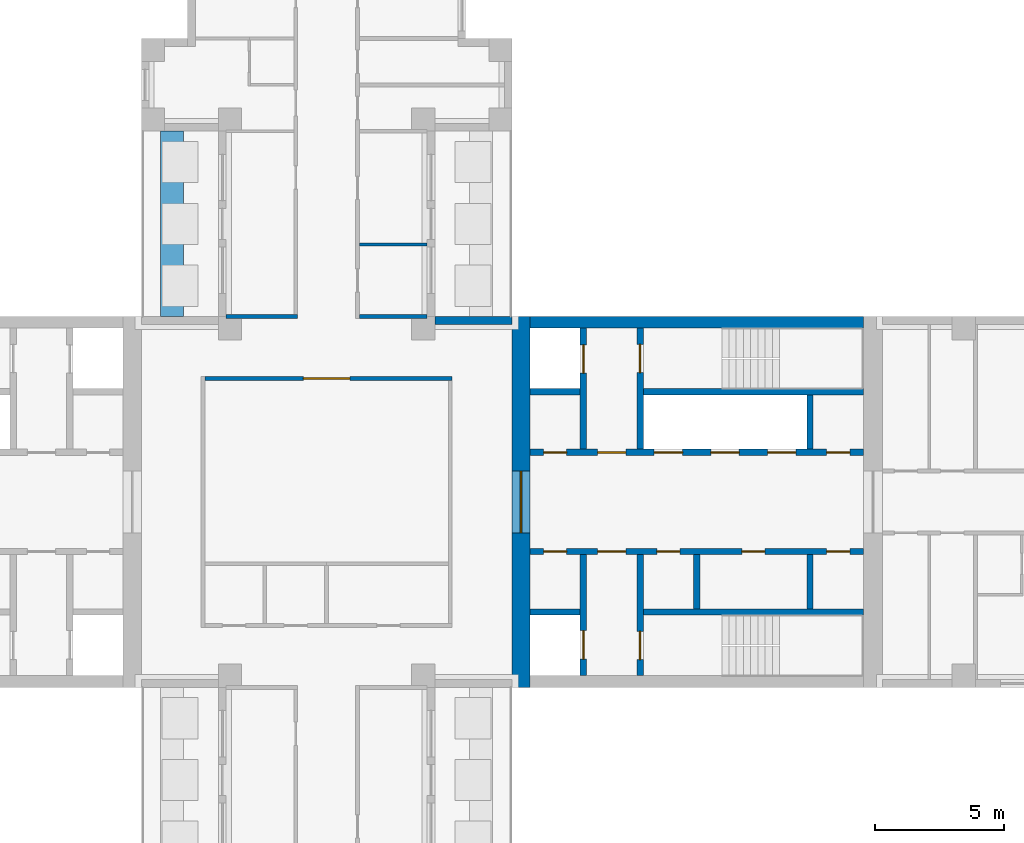
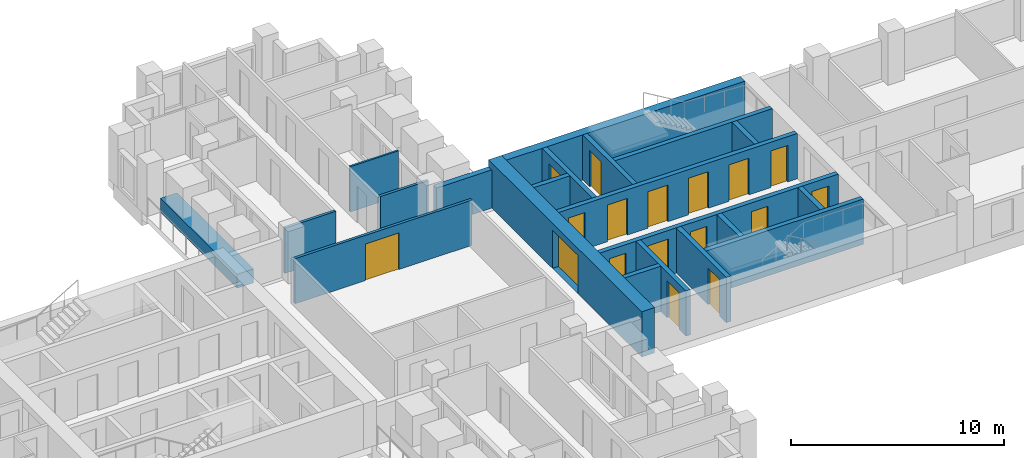
# One storey, part 6 of 11: 21 walls, 17 doors, 17 openings.
"""IFC4 building model written with IfcOpenShell, lengths in metres."""

import ifcopenshell
import ifcopenshell.guid

model = None  # the IFC model being written
_history = None  # IfcOwnerHistory: only IFC2X3 demands one
_inside = {}  # id of a spatial element -> (the spatial element, [elements in it])
_under = {}  # id of a project, library or spatial element -> (it, [spatial elements below it])
_declared = {}  # id of a project -> (the project, [libraries it declares])
_typed = {}  # id of a type object -> (the type object, [elements of that type])
_made_of = {}  # id of a material, layer set ... -> (it, [elements and type objects made of it])


def new_model(schema):
    """Start an empty IFC model of exactly this schema.

    Asked for "IFC4X3", IfcOpenShell would pick the latest addendum, in which some entities
    have other attributes; the version numbers below select the first issue.
    IFC2X3 requires an IfcOwnerHistory on every rooted entity: one is made here for all.
    """
    global model, _history
    if schema == "IFC4X3":
        model = ifcopenshell.file(schema_version=(4, 3, 0, 0))
    else:
        model = ifcopenshell.file(schema=schema)
    _inside.clear()
    _under.clear()
    _declared.clear()
    _typed.clear()
    _made_of.clear()
    _history = None
    if model.schema == "IFC2X3":
        org = make("IfcOrganization", Name="unknown")
        user = make(
            "IfcPersonAndOrganization",
            ThePerson=make("IfcPerson", FamilyName="unknown"),
            TheOrganization=org,
        )
        app = make(
            "IfcApplication",
            ApplicationDeveloper=org,
            Version="unknown",
            ApplicationFullName="unknown",
            ApplicationIdentifier="unknown",
        )
        _history = make(
            "IfcOwnerHistory",
            OwningUser=user,
            OwningApplication=app,
            ChangeAction="ADDED",
            CreationDate=0,
        )
    return model


def make(cls, **values):
    """One entity of the class cls with the attributes given. An attribute that is None is left unset."""
    return model.create_entity(
        cls, **{name: value for name, value in values.items() if value is not None}
    )


def rooted(cls, **values):
    """An entity with a GlobalId (a new one), such as an element, a storey or a relation."""
    return make(cls, GlobalId=ifcopenshell.guid.new(), OwnerHistory=_history, **values)


def si_unit(unit_type, name, prefix=None):
    """IfcSIUnit, for example si_unit("LENGTHUNIT", "METRE", prefix="MILLI")."""
    return make("IfcSIUnit", UnitType=unit_type, Prefix=prefix, Name=name)


def assignment(units):
    """IfcUnitAssignment: the units of a project."""
    return None if units is None else make("IfcUnitAssignment", Units=units)


def point(xyz):
    """IfcCartesianPoint."""
    return None if xyz is None else make("IfcCartesianPoint", Coordinates=xyz)


def direction(xyz):
    """IfcDirection."""
    return None if xyz is None else make("IfcDirection", DirectionRatios=xyz)


def frame(location, z_axis=None, x_axis=None):
    """IfcAxis2Placement3D, a coordinate frame: its origin and axes. An axis left out is left unset."""
    return make(
        "IfcAxis2Placement3D",
        Location=point(location),
        Axis=direction(z_axis),
        RefDirection=direction(x_axis),
    )


def frame_2d(location, x_axis=None):
    """IfcAxis2Placement2D, a coordinate frame in the plane: its origin and x axis."""
    return make(
        "IfcAxis2Placement2D", Location=point(location), RefDirection=direction(x_axis)
    )


def origin():
    """The frame at (0, 0, 0) with its axes left unset."""
    return frame((0.0, 0.0, 0.0))


def place(relative_to, where):
    """IfcLocalPlacement: puts the frame where relative to a parent placement (None: the world)."""
    return make(
        "IfcLocalPlacement", PlacementRelTo=relative_to, RelativePlacement=where
    )


def context(
    kind, dimensions, precision=None, world=None, true_north=None, identifier=None
):
    """IfcGeometricRepresentationContext, for example the 3D "Model" context."""
    return make(
        "IfcGeometricRepresentationContext",
        ContextIdentifier=identifier,
        ContextType=kind,
        CoordinateSpaceDimension=dimensions,
        Precision=precision,
        WorldCoordinateSystem=world,
        TrueNorth=true_north,
    )


def subcontext(parent, identifier, kind, view, scale=None):
    """IfcGeometricRepresentationSubContext, for example "Body" below "Model"."""
    return make(
        "IfcGeometricRepresentationSubContext",
        ContextIdentifier=identifier,
        ContextType=kind,
        ParentContext=parent,
        TargetScale=scale,
        TargetView=view,
    )


def project(units=None, contexts=None):
    """IfcProject with its units and contexts."""
    return rooted(
        "IfcProject",
        Name="project",
        RepresentationContexts=contexts,
        UnitsInContext=assignment(units),
    )


def spatial(cls, under=None, at=None, **own):
    """A site, building, storey or space (cls), placed at a placement, below another one or the project."""
    s = rooted(cls, ObjectPlacement=at, **own)
    if under is not None:
        _under.setdefault(under.id(), (under, []))[1].append(s)
    return s


def profile(cls, at=None, kind="AREA", **sizes):
    """A parametric profile (cls). Its sizes go by their IFC names, for example OverallWidth=200.0."""
    return make(cls, ProfileType=kind, Position=at, **sizes)


def rectangle(**sizes):
    """IfcRectangleProfileDef."""
    return profile("IfcRectangleProfileDef", **sizes)


def extrude(swept, where, along, depth):
    """IfcExtrudedAreaSolid: the profile swept, set in the frame where, extruded along a direction by depth."""
    return make(
        "IfcExtrudedAreaSolid",
        SweptArea=swept,
        Position=where,
        ExtrudedDirection=direction(along),
        Depth=depth,
    )


def shape(context_of_items, identifier, shape_type, items):
    """IfcShapeRepresentation: the items that make up one representation, for example the "Body"."""
    return make(
        "IfcShapeRepresentation",
        ContextOfItems=context_of_items,
        RepresentationIdentifier=identifier,
        RepresentationType=shape_type,
        Items=items,
    )


def material(Name=None, Category=None):
    """IfcMaterial."""
    return make("IfcMaterial", Name=Name, Category=Category)


def layer(
    of_material, thickness, ventilated=None, Name=None, Category=None, Priority=None
):
    """IfcMaterialLayer: one layer of a wall or slab, of a material (None: an air gap)."""
    return make(
        "IfcMaterialLayer",
        Material=of_material,
        LayerThickness=thickness,
        IsVentilated=ventilated,
        Name=Name,
        Category=Category,
        Priority=Priority,
    )


def layer_set(layers, Name=None):
    """IfcMaterialLayerSet."""
    return make("IfcMaterialLayerSet", MaterialLayers=layers, LayerSetName=Name)


def made_of(thing, what):
    """Note that an element or type object is made of a material, layer set ...; save() writes the relation."""
    if what is not None:
        _made_of.setdefault(what.id(), (what, []))[1].append(thing)
    return thing


def type_object(cls, material=None, **own):
    """A type object (cls), such as IfcWallType, which elements share."""
    return made_of(rooted(cls, **own), material)


def element(
    cls,
    number,
    at=None,
    inside=None,
    cuts=None,
    type_object=None,
    material=None,
    context=None,
    identifier="Body",
    shape_type=None,
    held_by="IfcProductDefinitionShape",
    body=None,
    shapes=None,
    **own,
):
    """One element of the class cls, such as IfcWall. Its Tag is "e" and its number.

    at: its placement. inside: the storey or other place that contains it. cuts: it is an
    opening in that element (IfcRelVoidsElement). A single representation is given by context,
    identifier, shape_type and body (its items); several are given by shapes. held_by: the class
    of the entity that holds the representations. save() writes the other relations.
    """
    e = rooted(cls, Tag="e%d" % number, ObjectPlacement=at, **own)
    if body is not None:
        shapes = [shape(context, identifier, shape_type, body)]
    if shapes is not None:
        e.Representation = make(held_by, Representations=shapes)
    if inside is not None:
        _inside.setdefault(inside.id(), (inside, []))[1].append(e)
    if cuts is not None:
        rooted(
            "IfcRelVoidsElement", RelatingBuildingElement=cuts, RelatedOpeningElement=e
        )
    if type_object is not None:
        _typed.setdefault(type_object.id(), (type_object, []))[1].append(e)
    return made_of(e, material)


def fill(opening, filler):
    """IfcRelFillsElement: the door or window that sits in an opening."""
    return rooted(
        "IfcRelFillsElement",
        RelatingOpeningElement=opening,
        RelatedBuildingElement=filler,
    )


def aggregate(whole, parts):
    """IfcRelAggregates: a whole, such as a stair, and the parts it consists of."""
    return rooted("IfcRelAggregates", RelatingObject=whole, RelatedObjects=parts)


def save(model, path):
    """Write the relations noted so far, then the file.

    IfcRelAggregates (storeys below a building ...), IfcRelContainedInSpatialStructure (elements
    in a storey), IfcRelDefinesByType, IfcRelAssociatesMaterial and IfcRelDeclares: one each for
    every whole, place, type object, material and project.
    """
    for whole, parts in _under.values():
        aggregate(whole, parts)
    for where, things in _inside.values():
        rooted(
            "IfcRelContainedInSpatialStructure",
            RelatedElements=things,
            RelatingStructure=where,
        )
    for kind, things in _typed.values():
        rooted("IfcRelDefinesByType", RelatedObjects=things, RelatingType=kind)
    for what, things in _made_of.values():
        rooted("IfcRelAssociatesMaterial", RelatedObjects=things, RelatingMaterial=what)
    for by, libraries in _declared.values():
        rooted("IfcRelDeclares", RelatingContext=by, RelatedDefinitions=libraries)
    model.write(path)


model = new_model("IFC4")

# Units and contexts
model_context = context("Model", 3, precision=1e-05, world=origin(), true_north=direction((0.0, 1.0)))
body_context = subcontext(model_context, "Body", "Model", "MODEL_VIEW")
ifc_project = project(units=[si_unit("LENGTHUNIT", "METRE"), si_unit("AREAUNIT", "SQUARE_METRE"), si_unit("VOLUMEUNIT", "CUBIC_METRE"), si_unit("PLANEANGLEUNIT", "RADIAN"), si_unit("MASSUNIT", "GRAM", prefix="KILO")], contexts=[model_context])

# Site, building, storey
site_placement = place(None, origin())
site = spatial("IfcSite", under=ifc_project, at=site_placement, CompositionType="ELEMENT")
building_placement = place(site_placement, origin())
building = spatial("IfcBuilding", under=site, at=building_placement, Name="Fustian Cross Tower", CompositionType="ELEMENT")
storey_placement = place(building_placement, frame((0.0, 0.0, 123.300048828125)))
storey = spatial("IfcBuildingStorey", under=building, at=storey_placement, Name="L38", CompositionType="ELEMENT", Elevation=123.300048828125)

# Wall, opening, door
ifc_material_1 = material(Name="Plasterboard on steel stud", Category="steel")
ifc_layer_1 = layer(ifc_material_1, 0.14990234375)
ifc_layer_set_1 = layer_set([ifc_layer_1], Name="Plasterboard on steel stud")
wall_type_1 = type_object("IfcWallType", Name="COMPARTMENT WALL 150 EI 60", PredefinedType="PARTITIONING", material=ifc_layer_set_1)
wall_1_placement = place(storey_placement, frame((-4.72509765625, 4.800048828125, 0.0), z_axis=(0.0, 0.0, 1.0), x_axis=(1.0, 0.0, 0.0)))
wall_1 = element("IfcWall", 1, at=wall_1_placement, inside=storey, type_object=wall_type_1, Name="Partition 20", PredefinedType="PARTITIONING", context=body_context, shape_type="SweptSolid", body=[
    extrude(rectangle(XDim=9.60009765625, YDim=0.14990234375, at=frame_2d((4.800048828125, 0.0))), origin(), (0.0, 0.0, 1.0), 2.599853515625),
])
opening_1_placement = place(wall_1_placement, frame((3.824951171875, 0.0, 0.0)))
opening_1 = element("IfcOpeningElement", 2, at=opening_1_placement, cuts=wall_1, Name="Opening D18004", PredefinedType="OPENING", context=body_context, shape_type="SweptSolid", body=[
    extrude(rectangle(XDim=1.800048828125, YDim=2.10009765625, at=frame_2d((0.89990234375, 1.050048828125))), frame((0.0, 0.0849609375, 0.0), z_axis=(0.0, -1.0, 0.0), x_axis=(1.0, 0.0, 0.0)), (0.0, 0.0, 1.0), 0.169921875),
])
ifc_material_2 = material(Name="Timber fire door set", Category="wood")
door_type_1 = type_object("IfcDoorType", Name="FIRE DOUBLE DOOR 1800 FD30S", OperationType="DOUBLE_DOOR_DOUBLE_SWING", PredefinedType="DOOR", material=ifc_material_2)
door_1_placement = place(opening_1_placement, origin())
door_1 = element("IfcDoor", 3, at=door_1_placement, inside=storey, type_object=door_type_1, Name="Door D18004", OperationType="DOUBLE_DOOR_DOUBLE_SWING", OverallHeight=2.10009765625, OverallWidth=1.800048828125, PredefinedType="DOOR", context=body_context, shape_type="SweptSolid", body=[
    extrude(rectangle(XDim=1.800048828125, YDim=2.10009765625, at=frame_2d((0.89990234375, 1.050048828125))), frame((0.0, 0.02490234375, 0.0), z_axis=(0.0, -1.0, 0.0), x_axis=(1.0, 0.0, 0.0)), (0.0, 0.0, 1.0), 0.050048828125),
])
fill(opening_1, door_1)

# Walls
wall_2_placement = place(storey_placement, frame((-3.89990234375, 7.199951171875, 0.0), z_axis=(0.0, 0.0, 1.0), x_axis=(1.0, 0.0, 0.0)))
element("IfcWall", 4, at=wall_2_placement, inside=storey, type_object=wall_type_1, Name="Partition 23", PredefinedType="PARTITIONING", context=body_context, shape_type="SweptSolid", body=[
    extrude(rectangle(XDim=2.77490234375, YDim=0.14990234375, at=frame_2d((1.387451171875, 0.0))), origin(), (0.0, 0.0, 1.0), 2.599853515625),
])
wall_3_placement = place(storey_placement, frame((1.27490234375, 7.199951171875, 0.0), z_axis=(0.0, 0.0, 1.0), x_axis=(1.0, 0.0, 0.0)))
element("IfcWall", 5, at=wall_3_placement, inside=storey, type_object=wall_type_1, Name="Partition 43", PredefinedType="PARTITIONING", context=body_context, shape_type="SweptSolid", body=[
    extrude(rectangle(XDim=2.625, YDim=0.14990234375, at=frame_2d((1.3125, 0.0))), origin(), (0.0, 0.0, 1.0), 2.599853515625),
])

# Wall, opening, door
ifc_material_3 = material(Name="Concrete C60/75", Category="concrete")
ifc_layer_2 = layer(ifc_material_3, 0.699951171875)
ifc_layer_set_2 = layer_set([ifc_layer_2], Name="Concrete C60/75")
wall_type_2 = type_object("IfcWallType", Name="CORE END WALL 700 C60/75", PredefinedType="SHEAR", material=ifc_layer_set_2)
wall_4_placement = place(storey_placement, frame((7.550048828125, -7.199951171875, 0.0), z_axis=(0.0, 0.0, 1.0), x_axis=(0.0, 1.0, 0.0)))
wall_4 = element("IfcWall", 6, at=wall_4_placement, inside=storey, type_object=wall_type_2, Name="Core end wall", PredefinedType="SHEAR", context=body_context, shape_type="SweptSolid", body=[
    extrude(rectangle(XDim=14.39990234375, YDim=0.699951171875, at=frame_2d((7.199951171875, 0.0))), origin(), (0.0, 0.0, 1.0), 2.599853515625),
])
opening_2_placement = place(wall_4_placement, frame((6.0, 0.0, 0.0)))
opening_2 = element("IfcOpeningElement", 7, at=opening_2_placement, cuts=wall_4, Name="Opening CD-16-12", PredefinedType="OPENING", context=body_context, shape_type="SweptSolid", body=[
    extrude(rectangle(XDim=2.39990234375, YDim=2.199951171875, at=frame_2d((1.199951171875, 1.10009765625))), frame((0.0, 0.35986328125, 0.0), z_axis=(0.0, -1.0, 0.0), x_axis=(1.0, 0.0, 0.0)), (0.0, 0.0, 1.0), 0.719970703125),
])
ifc_material_4 = material(Name="Steel", Category="steel")
door_type_2 = type_object("IfcDoorType", Name="FIRE DOOR FD30S DOUBLE 2400X2200", OperationType="DOUBLE_DOOR_DOUBLE_SWING", PredefinedType="DOOR", material=ifc_material_4)
door_2_placement = place(opening_2_placement, origin())
door_2 = element("IfcDoor", 8, at=door_2_placement, inside=storey, type_object=door_type_2, Name="Core door CD-16-12", OperationType="DOUBLE_DOOR_DOUBLE_SWING", OverallHeight=2.199951171875, OverallWidth=2.39990234375, PredefinedType="DOOR", context=body_context, shape_type="SweptSolid", body=[
    extrude(rectangle(XDim=2.39990234375, YDim=2.199951171875, at=frame_2d((1.199951171875, 1.10009765625))), frame((0.0, 0.02490234375, 0.0), z_axis=(0.0, -1.0, 0.0), x_axis=(1.0, 0.0, 0.0)), (0.0, 0.0, 1.0), 0.050048828125),
])
fill(opening_2, door_2)

# Wall
ifc_material_5 = material(Name="Concrete C60/75", Category="concrete")
ifc_layer_3 = layer(ifc_material_5, 0.449951171875)
ifc_layer_set_3 = layer_set([ifc_layer_3], Name="Concrete C60/75")
wall_type_3 = type_object("IfcWallType", Name="CORE FACADE WALL 450 C60/75", PredefinedType="SHEAR", material=ifc_layer_set_3)
wall_5_placement = place(storey_placement, frame((7.89990234375, 6.97509765625, 0.0), z_axis=(0.0, 0.0, 1.0), x_axis=(1.0, 0.0, 0.0)))
element("IfcWall", 9, at=wall_5_placement, inside=storey, type_object=wall_type_3, Name="Core facade wall", PredefinedType="SHEAR", context=body_context, shape_type="SweptSolid", body=[
    extrude(rectangle(XDim=12.9501953125, YDim=0.449951171875, at=frame_2d((6.47509765625, 0.0))), origin(), (0.0, 0.0, 1.0), 2.599853515625),
])

# Wall, openings, doors
ifc_material_6 = material(Name="Concrete C50/60", Category="concrete")
ifc_layer_4 = layer(ifc_material_6, 0.25)
ifc_layer_set_4 = layer_set([ifc_layer_4], Name="Concrete C50/60")
wall_type_4 = type_object("IfcWallType", Name="CORE LOBBY WALL 250 C50/60", PredefinedType="SHEAR", material=ifc_layer_set_4)
wall_6_placement = place(storey_placement, frame((7.89990234375, 1.925048828125, 0.0), z_axis=(0.0, 0.0, 1.0), x_axis=(1.0, 0.0, 0.0)))
wall_6 = element("IfcWall", 10, at=wall_6_placement, inside=storey, type_object=wall_type_4, Name="Core lobby wall", PredefinedType="SHEAR", context=body_context, shape_type="SweptSolid", body=[
    extrude(rectangle(XDim=12.9501953125, YDim=0.25, at=frame_2d((6.47509765625, 0.0))), origin(), (0.0, 0.0, 1.0), 2.599853515625),
])
opening_3_placement = place(wall_6_placement, frame((4.824951171875, 0.0, 0.0)))
opening_3 = element("IfcOpeningElement", 11, at=opening_3_placement, cuts=wall_6, Name="Opening LD", PredefinedType="OPENING", context=body_context, shape_type="SweptSolid", body=[
    extrude(rectangle(XDim=1.10009765625, YDim=2.10009765625, at=frame_2d((0.550048828125, 1.050048828125))), frame((0.0, 0.135009765625, 0.0), z_axis=(0.0, -1.0, 0.0), x_axis=(1.0, 0.0, 0.0)), (0.0, 0.0, 1.0), 0.27001953125),
])
opening_4_placement = place(wall_6_placement, frame((7.02490234375, 0.0, 0.0)))
opening_4 = element("IfcOpeningElement", 12, at=opening_4_placement, cuts=wall_6, Name="Opening LD", PredefinedType="OPENING", context=body_context, shape_type="SweptSolid", body=[
    extrude(rectangle(XDim=1.10009765625, YDim=2.10009765625, at=frame_2d((0.550048828125, 1.050048828125))), frame((0.0, 0.135009765625, 0.0), z_axis=(0.0, -1.0, 0.0), x_axis=(1.0, 0.0, 0.0)), (0.0, 0.0, 1.0), 0.27001953125),
])
opening_5_placement = place(wall_6_placement, frame((9.22509765625, 0.0, 0.0)))
opening_5 = element("IfcOpeningElement", 13, at=opening_5_placement, cuts=wall_6, Name="Opening LD", PredefinedType="OPENING", context=body_context, shape_type="SweptSolid", body=[
    extrude(rectangle(XDim=1.10009765625, YDim=2.10009765625, at=frame_2d((0.550048828125, 1.050048828125))), frame((0.0, 0.135009765625, 0.0), z_axis=(0.0, -1.0, 0.0), x_axis=(1.0, 0.0, 0.0)), (0.0, 0.0, 1.0), 0.27001953125),
])
opening_6_placement = place(wall_6_placement, frame((0.52490234375, 0.0, 0.0)))
opening_6 = element("IfcOpeningElement", 14, at=opening_6_placement, cuts=wall_6, Name="Opening CD-16-08", PredefinedType="OPENING", context=body_context, shape_type="SweptSolid", body=[
    extrude(rectangle(XDim=0.89990234375, YDim=2.10009765625, at=frame_2d((0.449951171875, 1.050048828125))), frame((0.0, 0.135009765625, 0.0), z_axis=(0.0, -1.0, 0.0), x_axis=(1.0, 0.0, 0.0)), (0.0, 0.0, 1.0), 0.27001953125),
])
opening_7_placement = place(wall_6_placement, frame((2.625, 0.0, 0.0)))
opening_7 = element("IfcOpeningElement", 15, at=opening_7_placement, cuts=wall_6, Name="Opening CD-16-10", PredefinedType="OPENING", context=body_context, shape_type="SweptSolid", body=[
    extrude(rectangle(XDim=1.10009765625, YDim=2.10009765625, at=frame_2d((0.550048828125, 1.050048828125))), frame((0.0, 0.135009765625, 0.0), z_axis=(0.0, -1.0, 0.0), x_axis=(1.0, 0.0, 0.0)), (0.0, 0.0, 1.0), 0.27001953125),
])
opening_8_placement = place(wall_6_placement, frame((11.52490234375, 0.0, 0.0)))
opening_8 = element("IfcOpeningElement", 16, at=opening_8_placement, cuts=wall_6, Name="Opening CD-16-14", PredefinedType="OPENING", context=body_context, shape_type="SweptSolid", body=[
    extrude(rectangle(XDim=0.89990234375, YDim=2.10009765625, at=frame_2d((0.449951171875, 1.050048828125))), frame((0.0, 0.135009765625, 0.0), z_axis=(0.0, -1.0, 0.0), x_axis=(1.0, 0.0, 0.0)), (0.0, 0.0, 1.0), 0.27001953125),
])
ifc_material_7 = material(Name="Steel", Category="steel")
door_type_3 = type_object("IfcDoorType", Name="FIRE DOOR FD30S 900X2100", OperationType="SINGLE_SWING_LEFT", PredefinedType="DOOR", material=ifc_material_7)
door_3_placement = place(opening_8_placement, origin())
door_3 = element("IfcDoor", 17, at=door_3_placement, inside=storey, type_object=door_type_3, Name="Core door CD-16-14", OperationType="SINGLE_SWING_LEFT", OverallHeight=2.10009765625, OverallWidth=0.89990234375, PredefinedType="DOOR", context=body_context, shape_type="SweptSolid", body=[
    extrude(rectangle(XDim=0.89990234375, YDim=2.10009765625, at=frame_2d((0.449951171875, 1.050048828125))), frame((0.0, 0.02490234375, 0.0), z_axis=(0.0, -1.0, 0.0), x_axis=(1.0, 0.0, 0.0)), (0.0, 0.0, 1.0), 0.050048828125),
])
fill(opening_8, door_3)
ifc_material_8 = material(Name="Steel", Category="steel")
door_type_4 = type_object("IfcDoorType", Name="FIRE DOOR FD60S 1100X2100", OperationType="SINGLE_SWING_LEFT", PredefinedType="DOOR", material=ifc_material_8)
door_4_placement = place(opening_7_placement, frame((1.10009765625, 0.0, 0.0), z_axis=(0.0, 0.0, 1.0), x_axis=(-1.0, 0.0, 0.0)))
door_4 = element("IfcDoor", 18, at=door_4_placement, inside=storey, type_object=door_type_4, Name="Core door CD-16-10", OperationType="SINGLE_SWING_RIGHT", OverallHeight=2.10009765625, OverallWidth=1.10009765625, PredefinedType="DOOR", context=body_context, shape_type="SweptSolid", body=[
    extrude(rectangle(XDim=1.10009765625, YDim=2.10009765625, at=frame_2d((0.550048828125, 1.050048828125))), frame((0.0, 0.02490234375, 0.0), z_axis=(0.0, -1.0, 0.0), x_axis=(1.0, 0.0, 0.0)), (0.0, 0.0, 1.0), 0.050048828125),
])
fill(opening_7, door_4)
ifc_material_9 = material(Name="Steel", Category="steel")
door_type_5 = type_object("IfcDoorType", Name="FIRE DOOR FD60S 900X2100", OperationType="SINGLE_SWING_LEFT", PredefinedType="DOOR", material=ifc_material_9)
door_5_placement = place(opening_6_placement, origin())
door_5 = element("IfcDoor", 19, at=door_5_placement, inside=storey, type_object=door_type_5, Name="Core door CD-16-08", OperationType="SINGLE_SWING_LEFT", OverallHeight=2.10009765625, OverallWidth=0.89990234375, PredefinedType="DOOR", context=body_context, shape_type="SweptSolid", body=[
    extrude(rectangle(XDim=0.89990234375, YDim=2.10009765625, at=frame_2d((0.449951171875, 1.050048828125))), frame((0.0, 0.02490234375, 0.0), z_axis=(0.0, -1.0, 0.0), x_axis=(1.0, 0.0, 0.0)), (0.0, 0.0, 1.0), 0.050048828125),
])
fill(opening_6, door_5)
ifc_material_10 = material(Name="Stainless steel", Category="steel")
door_type_6 = type_object("IfcDoorType", Name="LIFT LANDING DOOR 1100X2100", OperationType="SLIDING_TO_LEFT", PredefinedType="DOOR", material=ifc_material_10)
door_6_placement = place(opening_3_placement, origin())
door_6 = element("IfcDoor", 20, at=door_6_placement, inside=storey, type_object=door_type_6, Name="Landing door HR1", OperationType="SLIDING_TO_LEFT", OverallHeight=2.10009765625, OverallWidth=1.10009765625, PredefinedType="DOOR", context=body_context, shape_type="SweptSolid", body=[
    extrude(rectangle(XDim=1.10009765625, YDim=2.10009765625, at=frame_2d((0.550048828125, 1.050048828125))), frame((0.0, 0.02490234375, 0.0), z_axis=(0.0, -1.0, 0.0), x_axis=(1.0, 0.0, 0.0)), (0.0, 0.0, 1.0), 0.050048828125),
])
fill(opening_3, door_6)
door_7_placement = place(opening_4_placement, origin())
door_7 = element("IfcDoor", 21, at=door_7_placement, inside=storey, type_object=door_type_6, Name="Landing door HR2", OperationType="SLIDING_TO_LEFT", OverallHeight=2.10009765625, OverallWidth=1.10009765625, PredefinedType="DOOR", context=body_context, shape_type="SweptSolid", body=[
    extrude(rectangle(XDim=1.10009765625, YDim=2.10009765625, at=frame_2d((0.550048828125, 1.050048828125))), frame((0.0, 0.02490234375, 0.0), z_axis=(0.0, -1.0, 0.0), x_axis=(1.0, 0.0, 0.0)), (0.0, 0.0, 1.0), 0.050048828125),
])
fill(opening_4, door_7)
door_8_placement = place(opening_5_placement, origin())
door_8 = element("IfcDoor", 22, at=door_8_placement, inside=storey, type_object=door_type_6, Name="Landing door HR3", OperationType="SLIDING_TO_LEFT", OverallHeight=2.10009765625, OverallWidth=1.10009765625, PredefinedType="DOOR", context=body_context, shape_type="SweptSolid", body=[
    extrude(rectangle(XDim=1.10009765625, YDim=2.10009765625, at=frame_2d((0.550048828125, 1.050048828125))), frame((0.0, 0.02490234375, 0.0), z_axis=(0.0, -1.0, 0.0), x_axis=(1.0, 0.0, 0.0)), (0.0, 0.0, 1.0), 0.050048828125),
])
fill(opening_5, door_8)

wall_7_placement = place(storey_placement, frame((7.89990234375, -1.925048828125, 0.0), z_axis=(0.0, 0.0, 1.0), x_axis=(1.0, 0.0, 0.0)))
wall_7 = element("IfcWall", 23, at=wall_7_placement, inside=storey, type_object=wall_type_4, Name="Core lobby wall", PredefinedType="SHEAR", context=body_context, shape_type="SweptSolid", body=[
    extrude(rectangle(XDim=12.9501953125, YDim=0.25, at=frame_2d((6.47509765625, 0.0))), origin(), (0.0, 0.0, 1.0), 2.599853515625),
])
opening_9_placement = place(wall_7_placement, frame((0.52490234375, 0.0, 0.0)))
opening_9 = element("IfcOpeningElement", 24, at=opening_9_placement, cuts=wall_7, Name="Opening CD-16-09", PredefinedType="OPENING", context=body_context, shape_type="SweptSolid", body=[
    extrude(rectangle(XDim=0.89990234375, YDim=2.10009765625, at=frame_2d((0.449951171875, 1.050048828125))), frame((0.0, 0.135009765625, 0.0), z_axis=(0.0, -1.0, 0.0), x_axis=(1.0, 0.0, 0.0)), (0.0, 0.0, 1.0), 0.27001953125),
])
opening_10_placement = place(wall_7_placement, frame((2.625, 0.0, 0.0)))
opening_10 = element("IfcOpeningElement", 25, at=opening_10_placement, cuts=wall_7, Name="Opening CD-16-11", PredefinedType="OPENING", context=body_context, shape_type="SweptSolid", body=[
    extrude(rectangle(XDim=1.10009765625, YDim=2.10009765625, at=frame_2d((0.550048828125, 1.050048828125))), frame((0.0, 0.135009765625, 0.0), z_axis=(0.0, -1.0, 0.0), x_axis=(1.0, 0.0, 0.0)), (0.0, 0.0, 1.0), 0.27001953125),
])
opening_11_placement = place(wall_7_placement, frame((4.925048828125, 0.0, 0.0)))
opening_11 = element("IfcOpeningElement", 26, at=opening_11_placement, cuts=wall_7, Name="Opening CD-16-15", PredefinedType="OPENING", context=body_context, shape_type="SweptSolid", body=[
    extrude(rectangle(XDim=0.89990234375, YDim=2.10009765625, at=frame_2d((0.449951171875, 1.050048828125))), frame((0.0, 0.135009765625, 0.0), z_axis=(0.0, -1.0, 0.0), x_axis=(1.0, 0.0, 0.0)), (0.0, 0.0, 1.0), 0.27001953125),
])
opening_12_placement = place(wall_7_placement, frame((8.22509765625, 0.0, 0.0)))
opening_12 = element("IfcOpeningElement", 27, at=opening_12_placement, cuts=wall_7, Name="Opening CD-16-16", PredefinedType="OPENING", context=body_context, shape_type="SweptSolid", body=[
    extrude(rectangle(XDim=0.89990234375, YDim=2.10009765625, at=frame_2d((0.449951171875, 1.050048828125))), frame((0.0, 0.135009765625, 0.0), z_axis=(0.0, -1.0, 0.0), x_axis=(1.0, 0.0, 0.0)), (0.0, 0.0, 1.0), 0.27001953125),
])
opening_13_placement = place(wall_7_placement, frame((11.52490234375, 0.0, 0.0)))
opening_13 = element("IfcOpeningElement", 28, at=opening_13_placement, cuts=wall_7, Name="Opening CD-16-17", PredefinedType="OPENING", context=body_context, shape_type="SweptSolid", body=[
    extrude(rectangle(XDim=0.89990234375, YDim=2.10009765625, at=frame_2d((0.449951171875, 1.050048828125))), frame((0.0, 0.135009765625, 0.0), z_axis=(0.0, -1.0, 0.0), x_axis=(1.0, 0.0, 0.0)), (0.0, 0.0, 1.0), 0.27001953125),
])
ifc_material_11 = material(Name="Steel", Category="steel")
door_type_7 = type_object("IfcDoorType", Name="FIRE DOOR FD30S 1100X2100", OperationType="SINGLE_SWING_LEFT", PredefinedType="DOOR", material=ifc_material_11)
door_9_placement = place(opening_10_placement, frame((1.10009765625, 0.0, 0.0), z_axis=(0.0, 0.0, 1.0), x_axis=(-1.0, 0.0, 0.0)))
door_9 = element("IfcDoor", 29, at=door_9_placement, inside=storey, type_object=door_type_7, Name="Core door CD-16-11", OperationType="SINGLE_SWING_RIGHT", OverallHeight=2.10009765625, OverallWidth=1.10009765625, PredefinedType="DOOR", context=body_context, shape_type="SweptSolid", body=[
    extrude(rectangle(XDim=1.10009765625, YDim=2.10009765625, at=frame_2d((0.550048828125, 1.050048828125))), frame((0.0, 0.02490234375, 0.0), z_axis=(0.0, -1.0, 0.0), x_axis=(1.0, 0.0, 0.0)), (0.0, 0.0, 1.0), 0.050048828125),
])
fill(opening_10, door_9)
door_10_placement = place(opening_9_placement, frame((0.89990234375, 0.0, 0.0), z_axis=(0.0, 0.0, 1.0), x_axis=(-1.0, 0.0, 0.0)))
door_10 = element("IfcDoor", 30, at=door_10_placement, inside=storey, type_object=door_type_3, Name="Core door CD-16-09", OperationType="SINGLE_SWING_RIGHT", OverallHeight=2.10009765625, OverallWidth=0.89990234375, PredefinedType="DOOR", context=body_context, shape_type="SweptSolid", body=[
    extrude(rectangle(XDim=0.89990234375, YDim=2.10009765625, at=frame_2d((0.449951171875, 1.050048828125))), frame((0.0, 0.02490234375, 0.0), z_axis=(0.0, -1.0, 0.0), x_axis=(1.0, 0.0, 0.0)), (0.0, 0.0, 1.0), 0.050048828125),
])
fill(opening_9, door_10)
door_11_placement = place(opening_11_placement, frame((0.89990234375, 0.0, 0.0), z_axis=(0.0, 0.0, 1.0), x_axis=(-1.0, 0.0, 0.0)))
door_11 = element("IfcDoor", 31, at=door_11_placement, inside=storey, type_object=door_type_3, Name="Core door CD-16-15", OperationType="SINGLE_SWING_RIGHT", OverallHeight=2.10009765625, OverallWidth=0.89990234375, PredefinedType="DOOR", context=body_context, shape_type="SweptSolid", body=[
    extrude(rectangle(XDim=0.89990234375, YDim=2.10009765625, at=frame_2d((0.449951171875, 1.050048828125))), frame((0.0, 0.02490234375, 0.0), z_axis=(0.0, -1.0, 0.0), x_axis=(1.0, 0.0, 0.0)), (0.0, 0.0, 1.0), 0.050048828125),
])
fill(opening_11, door_11)
door_12_placement = place(opening_12_placement, frame((0.89990234375, 0.0, 0.0), z_axis=(0.0, 0.0, 1.0), x_axis=(-1.0, 0.0, 0.0)))
door_12 = element("IfcDoor", 32, at=door_12_placement, inside=storey, type_object=door_type_3, Name="Core door CD-16-16", OperationType="SINGLE_SWING_LEFT", OverallHeight=2.10009765625, OverallWidth=0.89990234375, PredefinedType="DOOR", context=body_context, shape_type="SweptSolid", body=[
    extrude(rectangle(XDim=0.89990234375, YDim=2.10009765625, at=frame_2d((0.449951171875, 1.050048828125))), frame((0.0, 0.02490234375, 0.0), z_axis=(0.0, -1.0, 0.0), x_axis=(1.0, 0.0, 0.0)), (0.0, 0.0, 1.0), 0.050048828125),
])
fill(opening_12, door_12)
door_13_placement = place(opening_13_placement, frame((0.89990234375, 0.0, 0.0), z_axis=(0.0, 0.0, 1.0), x_axis=(-1.0, 0.0, 0.0)))
door_13 = element("IfcDoor", 33, at=door_13_placement, inside=storey, type_object=door_type_3, Name="Core door CD-16-17", OperationType="SINGLE_SWING_RIGHT", OverallHeight=2.10009765625, OverallWidth=0.89990234375, PredefinedType="DOOR", context=body_context, shape_type="SweptSolid", body=[
    extrude(rectangle(XDim=0.89990234375, YDim=2.10009765625, at=frame_2d((0.449951171875, 1.050048828125))), frame((0.0, 0.02490234375, 0.0), z_axis=(0.0, -1.0, 0.0), x_axis=(1.0, 0.0, 0.0)), (0.0, 0.0, 1.0), 0.050048828125),
])
fill(opening_13, door_13)

# Walls
ifc_material_12 = material(Name="Concrete C50/60", Category="concrete")
ifc_layer_5 = layer(ifc_material_12, 0.25)
ifc_layer_set_5 = layer_set([ifc_layer_5], Name="Concrete C50/60")
wall_type_5 = type_object("IfcWallType", Name="CORE SHAFT WALL 250 C50/60", PredefinedType="SHEAR", material=ifc_layer_set_5)
wall_8_placement = place(storey_placement, frame((7.89990234375, 4.27490234375, 0.0), z_axis=(0.0, 0.0, 1.0), x_axis=(1.0, 0.0, 0.0)))
element("IfcWall", 34, at=wall_8_placement, inside=storey, type_object=wall_type_5, Name="Core shaft wall", PredefinedType="SHEAR", context=body_context, shape_type="SweptSolid", body=[
    extrude(rectangle(XDim=1.9501953125, YDim=0.25, at=frame_2d((0.97509765625, 0.0))), origin(), (0.0, 0.0, 1.0), 2.599853515625),
])
wall_9_placement = place(storey_placement, frame((12.300048828125, 4.27490234375, 0.0), z_axis=(0.0, 0.0, 1.0), x_axis=(1.0, 0.0, 0.0)))
element("IfcWall", 35, at=wall_9_placement, inside=storey, type_object=wall_type_5, Name="Core shaft wall", PredefinedType="SHEAR", context=body_context, shape_type="SweptSolid", body=[
    extrude(rectangle(XDim=8.550048828125, YDim=0.25, at=frame_2d((4.27490234375, 0.0))), origin(), (0.0, 0.0, 1.0), 2.599853515625),
])

# Wall, opening, door
wall_10_placement = place(storey_placement, frame((9.97509765625, 2.050048828125, 0.0), z_axis=(0.0, 0.0, 1.0), x_axis=(0.0, 1.0, 0.0)))
wall_10 = element("IfcWall", 36, at=wall_10_placement, inside=storey, type_object=wall_type_5, Name="Core shaft wall", PredefinedType="SHEAR", context=body_context, shape_type="SweptSolid", body=[
    extrude(rectangle(XDim=4.699951171875, YDim=0.25, at=frame_2d((2.35009765625, 0.0))), origin(), (0.0, 0.0, 1.0), 2.599853515625),
])
opening_14_placement = place(wall_10_placement, frame((2.949951171875, 0.0, 0.0)))
opening_14 = element("IfcOpeningElement", 37, at=opening_14_placement, cuts=wall_10, Name="Opening LD", PredefinedType="OPENING", context=body_context, shape_type="SweptSolid", body=[
    extrude(rectangle(XDim=1.10009765625, YDim=2.10009765625, at=frame_2d((0.550048828125, 1.050048828125))), frame((0.0, 0.135009765625, 0.0), z_axis=(0.0, -1.0, 0.0), x_axis=(1.0, 0.0, 0.0)), (0.0, 0.0, 1.0), 0.27001953125),
])
door_14_placement = place(opening_14_placement, origin())
door_14 = element("IfcDoor", 38, at=door_14_placement, inside=storey, type_object=door_type_6, Name="Landing door FL1", OperationType="SLIDING_TO_LEFT", OverallHeight=2.10009765625, OverallWidth=1.10009765625, PredefinedType="DOOR", context=body_context, shape_type="SweptSolid", body=[
    extrude(rectangle(XDim=1.10009765625, YDim=2.10009765625, at=frame_2d((0.550048828125, 1.050048828125))), frame((0.0, 0.02490234375, 0.0), z_axis=(0.0, -1.0, 0.0), x_axis=(1.0, 0.0, 0.0)), (0.0, 0.0, 1.0), 0.050048828125),
])
fill(opening_14, door_14)

wall_11_placement = place(storey_placement, frame((12.175048828125, 2.050048828125, 0.0), z_axis=(0.0, 0.0, 1.0), x_axis=(0.0, 1.0, 0.0)))
wall_11 = element("IfcWall", 39, at=wall_11_placement, inside=storey, type_object=wall_type_5, Name="Core shaft wall", PredefinedType="SHEAR", context=body_context, shape_type="SweptSolid", body=[
    extrude(rectangle(XDim=4.699951171875, YDim=0.25, at=frame_2d((2.35009765625, 0.0))), origin(), (0.0, 0.0, 1.0), 2.599853515625),
])
opening_15_placement = place(wall_11_placement, frame((2.97509765625, 0.0, 0.0)))
opening_15 = element("IfcOpeningElement", 40, at=opening_15_placement, cuts=wall_11, Name="Opening CD-16-06", PredefinedType="OPENING", context=body_context, shape_type="SweptSolid", body=[
    extrude(rectangle(XDim=1.10009765625, YDim=2.10009765625, at=frame_2d((0.550048828125, 1.050048828125))), frame((0.0, 0.135009765625, 0.0), z_axis=(0.0, -1.0, 0.0), x_axis=(1.0, 0.0, 0.0)), (0.0, 0.0, 1.0), 0.27001953125),
])
door_15_placement = place(opening_15_placement, frame((1.10009765625, 0.0, 0.0), z_axis=(0.0, 0.0, 1.0), x_axis=(-1.0, 0.0, 0.0)))
door_15 = element("IfcDoor", 41, at=door_15_placement, inside=storey, type_object=door_type_4, Name="Core door CD-16-06", OperationType="SINGLE_SWING_RIGHT", OverallHeight=2.10009765625, OverallWidth=1.10009765625, PredefinedType="DOOR", context=body_context, shape_type="SweptSolid", body=[
    extrude(rectangle(XDim=1.10009765625, YDim=2.10009765625, at=frame_2d((0.550048828125, 1.050048828125))), frame((0.0, 0.02490234375, 0.0), z_axis=(0.0, -1.0, 0.0), x_axis=(1.0, 0.0, 0.0)), (0.0, 0.0, 1.0), 0.050048828125),
])
fill(opening_15, door_15)

# Walls
wall_12_placement = place(storey_placement, frame((7.89990234375, -4.27490234375, 0.0), z_axis=(0.0, 0.0, 1.0), x_axis=(1.0, 0.0, 0.0)))
element("IfcWall", 42, at=wall_12_placement, inside=storey, type_object=wall_type_5, Name="Core shaft wall", PredefinedType="SHEAR", context=body_context, shape_type="SweptSolid", body=[
    extrude(rectangle(XDim=1.9501953125, YDim=0.25, at=frame_2d((0.97509765625, 0.0))), origin(), (0.0, 0.0, 1.0), 2.599853515625),
])
wall_13_placement = place(storey_placement, frame((12.300048828125, -4.27490234375, 0.0), z_axis=(0.0, 0.0, 1.0), x_axis=(1.0, 0.0, 0.0)))
element("IfcWall", 43, at=wall_13_placement, inside=storey, type_object=wall_type_5, Name="Core shaft wall", PredefinedType="SHEAR", context=body_context, shape_type="SweptSolid", body=[
    extrude(rectangle(XDim=8.550048828125, YDim=0.25, at=frame_2d((4.27490234375, 0.0))), origin(), (0.0, 0.0, 1.0), 2.599853515625),
])

# Wall, opening, door
wall_14_placement = place(storey_placement, frame((9.97509765625, -2.050048828125, 0.0), z_axis=(0.0, 0.0, 1.0), x_axis=(0.0, -1.0, 0.0)))
wall_14 = element("IfcWall", 44, at=wall_14_placement, inside=storey, type_object=wall_type_5, Name="Core shaft wall", PredefinedType="SHEAR", context=body_context, shape_type="SweptSolid", body=[
    extrude(rectangle(XDim=4.699951171875, YDim=0.25, at=frame_2d((2.35009765625, 0.0))), origin(), (0.0, 0.0, 1.0), 2.599853515625),
])
opening_16_placement = place(wall_14_placement, frame((2.949951171875, 0.0, 0.0)))
opening_16 = element("IfcOpeningElement", 45, at=opening_16_placement, cuts=wall_14, Name="Opening LD", PredefinedType="OPENING", context=body_context, shape_type="SweptSolid", body=[
    extrude(rectangle(XDim=1.10009765625, YDim=2.10009765625, at=frame_2d((0.550048828125, 1.050048828125))), frame((0.0, 0.135009765625, 0.0), z_axis=(0.0, -1.0, 0.0), x_axis=(1.0, 0.0, 0.0)), (0.0, 0.0, 1.0), 0.27001953125),
])
door_16_placement = place(opening_16_placement, origin())
door_16 = element("IfcDoor", 46, at=door_16_placement, inside=storey, type_object=door_type_6, Name="Landing door SV1", OperationType="SLIDING_TO_LEFT", OverallHeight=2.10009765625, OverallWidth=1.10009765625, PredefinedType="DOOR", context=body_context, shape_type="SweptSolid", body=[
    extrude(rectangle(XDim=1.10009765625, YDim=2.10009765625, at=frame_2d((0.550048828125, 1.050048828125))), frame((0.0, 0.02490234375, 0.0), z_axis=(0.0, -1.0, 0.0), x_axis=(1.0, 0.0, 0.0)), (0.0, 0.0, 1.0), 0.050048828125),
])
fill(opening_16, door_16)

wall_15_placement = place(storey_placement, frame((12.175048828125, -2.050048828125, 0.0), z_axis=(0.0, 0.0, 1.0), x_axis=(0.0, -1.0, 0.0)))
wall_15 = element("IfcWall", 47, at=wall_15_placement, inside=storey, type_object=wall_type_5, Name="Core shaft wall", PredefinedType="SHEAR", context=body_context, shape_type="SweptSolid", body=[
    extrude(rectangle(XDim=4.699951171875, YDim=0.25, at=frame_2d((2.35009765625, 0.0))), origin(), (0.0, 0.0, 1.0), 2.599853515625),
])
opening_17_placement = place(wall_15_placement, frame((2.97509765625, 0.0, 0.0)))
opening_17 = element("IfcOpeningElement", 48, at=opening_17_placement, cuts=wall_15, Name="Opening CD-16-07", PredefinedType="OPENING", context=body_context, shape_type="SweptSolid", body=[
    extrude(rectangle(XDim=1.10009765625, YDim=2.10009765625, at=frame_2d((0.550048828125, 1.050048828125))), frame((0.0, 0.135009765625, 0.0), z_axis=(0.0, -1.0, 0.0), x_axis=(1.0, 0.0, 0.0)), (0.0, 0.0, 1.0), 0.27001953125),
])
door_17_placement = place(opening_17_placement, origin())
door_17 = element("IfcDoor", 49, at=door_17_placement, inside=storey, type_object=door_type_4, Name="Core door CD-16-07", OperationType="SINGLE_SWING_LEFT", OverallHeight=2.10009765625, OverallWidth=1.10009765625, PredefinedType="DOOR", context=body_context, shape_type="SweptSolid", body=[
    extrude(rectangle(XDim=1.10009765625, YDim=2.10009765625, at=frame_2d((0.550048828125, 1.050048828125))), frame((0.0, 0.02490234375, 0.0), z_axis=(0.0, -1.0, 0.0), x_axis=(1.0, 0.0, 0.0)), (0.0, 0.0, 1.0), 0.050048828125),
])
fill(opening_17, door_17)

# Walls
ifc_material_13 = material(Name="Plasterboard on steel stud", Category="steel")
ifc_layer_6 = layer(ifc_material_13, 0.10009765625)
ifc_layer_set_6 = layer_set([ifc_layer_6], Name="Plasterboard on steel stud")
wall_type_6 = type_object("IfcWallType", Name="PARTITION 100 STUD", PredefinedType="PARTITIONING", material=ifc_layer_set_6)
wall_16_placement = place(storey_placement, frame((1.27490234375, 10.0, 0.0), z_axis=(0.0, 0.0, 1.0), x_axis=(1.0, 0.0, 0.0)))
element("IfcWall", 50, at=wall_16_placement, inside=storey, type_object=wall_type_6, Name="Partition 44", PredefinedType="PARTITIONING", context=body_context, shape_type="SweptSolid", body=[
    extrude(rectangle(XDim=2.625, YDim=0.10009765625, at=frame_2d((1.3125, 0.0))), origin(), (0.0, 0.0, 1.0), 2.599853515625),
])
ifc_material_14 = material(Name="Concrete C40/50", Category="concrete")
ifc_layer_7 = layer(ifc_material_14, 0.89990234375)
ifc_layer_set_7 = layer_set([ifc_layer_7], Name="Concrete C40/50")
wall_type_7 = type_object("IfcWallType", Name="PK1 PLANTER 900", PredefinedType="PARAPET", material=ifc_layer_set_7)
wall_17_placement = place(storey_placement, frame((-6.0, 7.199951171875, 0.0), z_axis=(0.0, 0.0, 1.0), x_axis=(0.0, 1.0, 0.0)))
element("IfcWall", 51, at=wall_17_placement, inside=storey, type_object=wall_type_7, Name="PLANTER", PredefinedType="PARAPET", context=body_context, shape_type="SweptSolid", body=[
    extrude(rectangle(XDim=7.199951171875, YDim=0.89990234375, at=frame_2d((3.60009765625, 0.0))), origin(), (0.0, 0.0, 1.0), 0.800048828125),
])
ifc_material_15 = material(Name="Concrete C40/50", Category="concrete")
ifc_layer_8 = layer(ifc_material_15, 0.25)
ifc_layer_set_8 = layer_set([ifc_layer_8], Name="Concrete C40/50")
wall_type_8 = type_object("IfcWallType", Name="SHAFT PARTITION WALL 250 C40/50", PredefinedType="PARTITIONING", material=ifc_layer_set_8)
for number, where, z_axis, x_axis, name in (
    (52, (18.77490234375, 2.050048828125, 0.0), (0.0, 0.0, 1.0), (0.0, 1.0, 0.0), "Core shaft wall"),
    (53, (14.375, -2.050048828125, 0.0), (0.0, 0.0, 1.0), (0.0, -1.0, 0.0), "Core shaft wall"),
    (54, (18.77490234375, -2.050048828125, 0.0), (0.0, 0.0, 1.0), (0.0, -1.0, 0.0), "Core shaft wall"),
):
    element("IfcWall", number, at=place(storey_placement, frame(where, z_axis=z_axis, x_axis=x_axis)), inside=storey, type_object=wall_type_8, Name=name, PredefinedType="PARTITIONING", context=body_context, shape_type="SweptSolid", body=[
        extrude(rectangle(XDim=2.099853515625, YDim=0.25, at=frame_2d((1.0498046875, 0.0))), origin(), (0.0, 0.0, 1.0), 2.599853515625),
    ])
ifc_material_16 = material(Name="Dark aluminium cladding on insulated backing wall", Category="aluminium")
ifc_layer_9 = layer(ifc_material_16, 0.300048828125)
ifc_layer_set_9 = layer_set([ifc_layer_9], Name="Dark aluminium cladding on insulated backing wall")
wall_type_9 = type_object("IfcWallType", Name="XW1 EXTERNAL WALL 300", PredefinedType="SOLIDWALL", material=ifc_layer_set_9)
wall_18_placement = place(storey_placement, frame((7.199951171875, 7.050048828125, 0.0), z_axis=(0.0, 0.0, 1.0), x_axis=(-1.0, 0.0, 0.0)))
element("IfcWall", 55, at=wall_18_placement, inside=storey, type_object=wall_type_9, Name="External wall", PredefinedType="SOLIDWALL", context=body_context, shape_type="SweptSolid", body=[
    extrude(rectangle(XDim=3.0, YDim=0.300048828125, at=frame_2d((1.5, 0.0))), origin(), (0.0, 0.0, 1.0), 2.199951171875),
])

save(model, "model.ifc")
